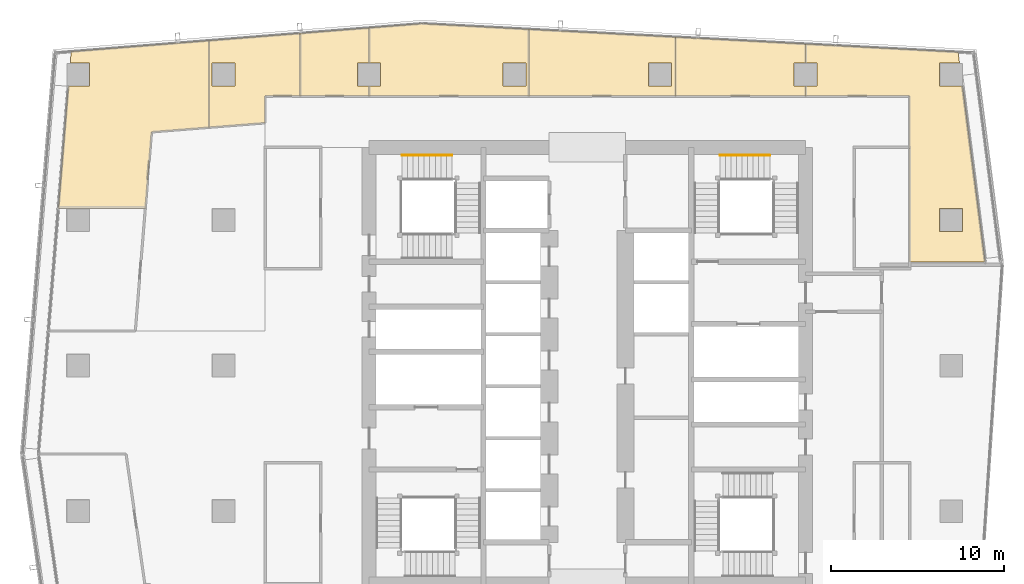
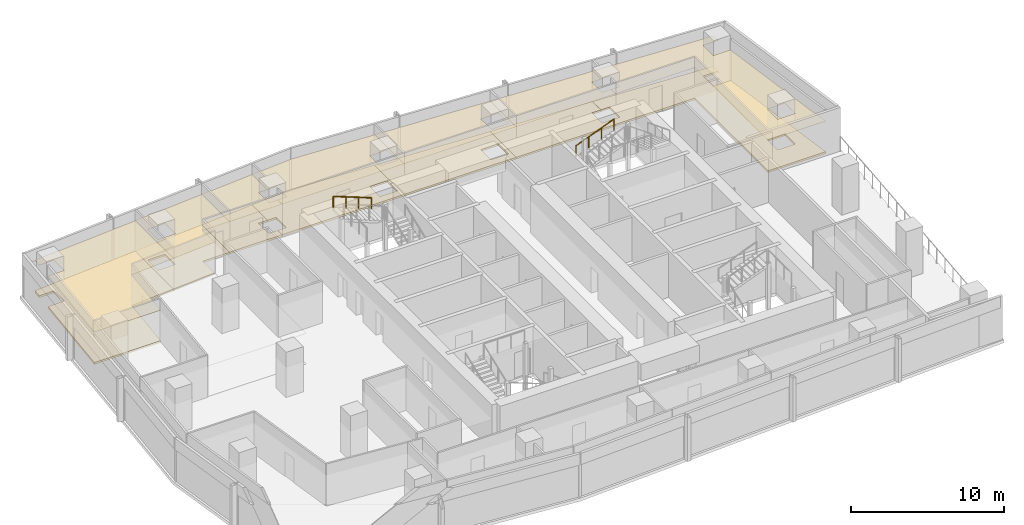
# One storey, part 28 of 28: 14 coverings, 2 railings.
"""IFC4 building model written with IfcOpenShell, lengths in metres."""

from ifc_helpers import new_model, si_unit, direction, frame, origin, origin_2d, place, context, subcontext, project, spatial, polyline, circle, outline, extrude, material, layer, layer_set, type_object, element, save


model = new_model("IFC4")

# Units and contexts
model_context = context("Model", 3, precision=1e-05, world=origin(), true_north=direction((0.0, 1.0)))
body_context = subcontext(model_context, "Body", "Model", "MODEL_VIEW")
ifc_project = project(units=[si_unit("LENGTHUNIT", "METRE"), si_unit("AREAUNIT", "SQUARE_METRE"), si_unit("VOLUMEUNIT", "CUBIC_METRE"), si_unit("PLANEANGLEUNIT", "RADIAN"), si_unit("MASSUNIT", "GRAM", prefix="KILO")], contexts=[model_context])

# Site, building, storey
site_placement = place(None, origin())
site = spatial("IfcSite", under=ifc_project, at=site_placement, CompositionType="ELEMENT")
building_placement = place(site_placement, origin())
building = spatial("IfcBuilding", under=site, at=building_placement, Name="Rekha Terrace Tower", CompositionType="ELEMENT")
storey_placement = place(building_placement, frame((0.0, 0.0, 253.85009765625)))
storey = spatial("IfcBuildingStorey", under=building, at=storey_placement, Name="L64", CompositionType="ELEMENT", Elevation=253.85009765625)

# Coverings
ifc_material_1 = material(Name="Mineral fibre tile in exposed grid", Category="finish")
ifc_layer_1 = layer(ifc_material_1, 0.02001953125)
ifc_layer_set_1 = layer_set([ifc_layer_1], Name="Mineral fibre tile in exposed grid")
covering_type_1 = type_object("IfcCoveringType", Name="CL1 600x1200 office grid ceiling", PredefinedType="CEILING", material=ifc_layer_set_1)
covering_1_placement = place(storey_placement, frame((0.0, 0.0, 2.579833984375)))
element("IfcCovering", 1, at=covering_1_placement, inside=storey, type_object=covering_type_1, Name="Ceiling L64-03", PredefinedType="CEILING", context=body_context, shape_type="SweptSolid", body=[
    extrude(outline(polyline([(51.06494140625, 49.735107421875), (50.403076171875, 49.735107421875), (50.403076171875, 49.14990234375), (56.39990234375, 49.14990234375), (56.39990234375, 39.568115234375), (60.764892578125, 39.568115234375), (59.4541015625, 49.735107421875), (58.135009765625, 49.735107421875), (58.135009765625, 51.06494140625), (59.282958984375, 51.06494140625), (59.199951171875, 51.7060546875), (50.403076171875, 52.174072265625), (50.403076171875, 51.06494140625), (51.06494140625, 51.06494140625), (51.06494140625, 49.735107421875)]), holes=[polyline([(59.465087890625, 41.3349609375), (58.135009765625, 41.3349609375), (58.135009765625, 42.6650390625), (59.465087890625, 42.6650390625), (59.465087890625, 41.3349609375)])]), origin(), (0.0, 0.0, 1.0), 0.02001953125),
])
covering_2_placement = place(storey_placement, frame((0.0, 0.0, 2.579833984375)))
element("IfcCovering", 2, at=covering_2_placement, inside=storey, type_object=covering_type_1, Name="Ceiling L64-04", PredefinedType="CEILING", context=body_context, shape_type="SweptSolid", body=[
    extrude(outline(polyline([(50.402099609375, 51.06494140625), (50.402099609375, 52.174072265625), (42.889892578125, 52.572998046875), (42.889892578125, 49.14990234375), (50.402099609375, 49.14990234375), (50.402099609375, 49.735107421875), (49.735107421875, 49.735107421875), (49.735107421875, 51.06494140625), (50.402099609375, 51.06494140625)])), origin(), (0.0, 0.0, 1.0), 0.02001953125),
])
covering_3_placement = place(storey_placement, frame((0.0, 0.0, 2.579833984375)))
element("IfcCovering", 3, at=covering_3_placement, inside=storey, type_object=covering_type_1, Name="Ceiling L64-05", PredefinedType="CEILING", context=body_context, shape_type="SweptSolid", body=[
    extrude(outline(polyline([(42.888916015625, 49.14990234375), (42.888916015625, 52.572998046875), (34.41796875, 53.02294921875), (34.41796875, 49.14990234375), (42.888916015625, 49.14990234375)]), holes=[polyline([(42.6650390625, 49.735107421875), (41.3349609375, 49.735107421875), (41.3349609375, 51.06494140625), (42.6650390625, 51.06494140625), (42.6650390625, 49.735107421875)])]), origin(), (0.0, 0.0, 1.0), 0.02001953125),
])
covering_4_placement = place(storey_placement, frame((0.0, 0.0, 2.579833984375)))
element("IfcCovering", 4, at=covering_4_placement, inside=storey, type_object=covering_type_1, Name="Ceiling L64-06", PredefinedType="CEILING", context=body_context, shape_type="SweptSolid", body=[
    extrude(outline(polyline([(34.4169921875, 53.02294921875), (28.27294921875, 53.35009765625), (25.2060546875, 53.10498046875), (25.2060546875, 51.06494140625), (25.864990234375, 51.06494140625), (25.864990234375, 49.735107421875), (25.2060546875, 49.735107421875), (25.2060546875, 49.14990234375), (34.4169921875, 49.14990234375), (34.4169921875, 53.02294921875)]), holes=[polyline([(34.264892578125, 49.735107421875), (32.93505859375, 49.735107421875), (32.93505859375, 51.06494140625), (34.264892578125, 51.06494140625), (34.264892578125, 49.735107421875)])]), origin(), (0.0, 0.0, 1.0), 0.02001953125),
])
covering_5_placement = place(storey_placement, frame((0.0, 0.0, 2.579833984375)))
element("IfcCovering", 5, at=covering_5_placement, inside=storey, type_object=covering_type_1, Name="Ceiling L64-07", PredefinedType="CEILING", context=body_context, shape_type="SweptSolid", body=[
    extrude(outline(polyline([(25.205078125, 51.06494140625), (25.205078125, 53.10498046875), (21.22705078125, 52.7880859375), (21.22705078125, 49.14990234375), (25.205078125, 49.14990234375), (25.205078125, 49.735107421875), (24.534912109375, 49.735107421875), (24.534912109375, 51.06494140625), (25.205078125, 51.06494140625)])), origin(), (0.0, 0.0, 1.0), 0.02001953125),
])
covering_6_placement = place(storey_placement, frame((0.0, 0.0, 2.579833984375)))
element("IfcCovering", 6, at=covering_6_placement, inside=storey, type_object=covering_type_1, Name="Ceiling L64-08", PredefinedType="CEILING", context=body_context, shape_type="SweptSolid", body=[
    extrude(outline(polyline([(15.950927734375, 52.366943359375), (15.950927734375, 47.35107421875), (19.199951171875, 47.610107421875), (19.199951171875, 49.14990234375), (21.22607421875, 49.14990234375), (21.22607421875, 52.7880859375), (15.950927734375, 52.366943359375)]), holes=[polyline([(17.465087890625, 49.735107421875), (16.135009765625, 49.735107421875), (16.135009765625, 51.06494140625), (17.465087890625, 51.06494140625), (17.465087890625, 49.735107421875)])]), origin(), (0.0, 0.0, 1.0), 0.02001953125),
])
covering_7_placement = place(storey_placement, frame((0.0, 0.0, 2.579833984375)))
element("IfcCovering", 7, at=covering_7_placement, inside=storey, type_object=covering_type_1, Name="Ceiling L64-09", PredefinedType="CEILING", context=body_context, shape_type="SweptSolid", body=[
    extrude(outline(polyline([(7.26611328125, 42.656982421875), (7.735107421875, 42.656982421875), (7.735107421875, 42.6650390625), (9.06494140625, 42.6650390625), (9.06494140625, 42.656982421875), (12.281982421875, 42.656982421875), (12.64306640625, 47.0869140625), (15.949951171875, 47.35107421875), (15.949951171875, 52.366943359375), (8.00390625, 51.73291015625), (7.949951171875, 51.06494140625), (9.06494140625, 51.06494140625), (9.06494140625, 49.735107421875), (7.842041015625, 49.735107421875), (7.26611328125, 42.656982421875)])), origin(), (0.0, 0.0, 1.0), 0.02001953125),
])

# Railings
ifc_material_2 = material(Name="Stainless steel tube", Category="steel")
railing_type = type_object("IfcRailingType", Name="HR1 900 stair handrail", PredefinedType="HANDRAIL", material=ifc_material_2)
railing_1_placement = place(storey_placement, frame((45.449951171875, 45.739990234375, 1.375)))
element("IfcRailing", 8, at=railing_1_placement, inside=storey, type_object=railing_type, Name="Handrail ST2 L64 flight 2", PredefinedType="HANDRAIL", context=body_context, shape_type="SweptSolid", body=[
    extrude(circle(Radius=0.02392578125, at=origin_2d()), frame((0.0, 0.0, 0.8759765625), z_axis=(0.931462784923, 0.0, 0.363836612098), x_axis=(0.0, 1.0, 0.0)), (0.0, 0.0, 1.0), 3.092041015625),
    extrude(circle(Radius=0.02099609375, at=origin_2d()), origin(), (0.0, 0.0, 1.0), 0.851806640625),
    extrude(circle(Radius=0.02099609375, at=origin_2d()), frame((0.9599609375, 0.0, 0.375)), (0.0, 0.0, 1.0), 0.851806640625),
    extrude(circle(Radius=0.02099609375, at=origin_2d()), frame((1.920166015625, 0.0, 0.75)), (0.0, 0.0, 1.0), 0.851806640625),
    extrude(circle(Radius=0.02099609375, at=origin_2d()), frame((2.880126953125, 0.0, 1.125)), (0.0, 0.0, 1.0), 0.851806640625),
])
railing_2_placement = place(storey_placement, frame((29.97998046875, 45.739990234375, 2.625)))
element("IfcRailing", 9, at=railing_2_placement, inside=storey, type_object=railing_type, Name="Handrail ST4 L64 flight 3", PredefinedType="HANDRAIL", context=body_context, shape_type="SweptSolid", body=[
    extrude(circle(Radius=0.02392578125, at=origin_2d()), frame((0.0, 0.0, 0.8759765625), z_axis=(-0.931452331594, 0.0, 0.363863372667), x_axis=(0.0, -1.0, 0.0)), (0.0, 0.0, 1.0), 3.091796875),
    extrude(circle(Radius=0.02099609375, at=origin_2d()), origin(), (0.0, 0.0, 1.0), 0.851806640625),
    extrude(circle(Radius=0.02099609375, at=origin_2d()), frame((-0.9599609375, 0.0, 0.375)), (0.0, 0.0, 1.0), 0.851806640625),
    extrude(circle(Radius=0.02099609375, at=origin_2d()), frame((-1.919921875, 0.0, 0.75)), (0.0, 0.0, 1.0), 0.851806640625),
    extrude(circle(Radius=0.02099609375, at=origin_2d()), frame((-2.8798828125, 0.0, 1.125)), (0.0, 0.0, 1.0), 0.851806640625),
])

# Coverings
ifc_material_3 = material(Name="Calcium sulphate panels on steel pedestals", Category="steel")
ifc_layer_2 = layer(ifc_material_3, 0.14990234375)
ifc_layer_set_2 = layer_set([ifc_layer_2], Name="Calcium sulphate panels on steel pedestals")
covering_type_2 = type_object("IfcCoveringType", Name="RF1 150 raised access floor", PredefinedType="FLOORING", material=ifc_layer_set_2)
covering_8_placement = place(storey_placement, origin())
element("IfcCovering", 10, at=covering_8_placement, inside=storey, type_object=covering_type_2, Name="Raised floor L64-03", PredefinedType="FLOORING", context=body_context, shape_type="SweptSolid", body=[
    extrude(outline(polyline([(51.06494140625, 49.735107421875), (50.403076171875, 49.735107421875), (50.403076171875, 49.14990234375), (56.39990234375, 49.14990234375), (56.39990234375, 39.568115234375), (60.764892578125, 39.568115234375), (59.4541015625, 49.735107421875), (58.135009765625, 49.735107421875), (58.135009765625, 51.06494140625), (59.282958984375, 51.06494140625), (59.199951171875, 51.7060546875), (50.403076171875, 52.174072265625), (50.403076171875, 51.06494140625), (51.06494140625, 51.06494140625), (51.06494140625, 49.735107421875)]), holes=[polyline([(59.465087890625, 41.3349609375), (58.135009765625, 41.3349609375), (58.135009765625, 42.6650390625), (59.465087890625, 42.6650390625), (59.465087890625, 41.3349609375)])]), origin(), (0.0, 0.0, 1.0), 0.14990234375),
])
covering_9_placement = place(storey_placement, origin())
element("IfcCovering", 11, at=covering_9_placement, inside=storey, type_object=covering_type_2, Name="Raised floor L64-04", PredefinedType="FLOORING", context=body_context, shape_type="SweptSolid", body=[
    extrude(outline(polyline([(50.402099609375, 51.06494140625), (50.402099609375, 52.174072265625), (42.889892578125, 52.572998046875), (42.889892578125, 49.14990234375), (50.402099609375, 49.14990234375), (50.402099609375, 49.735107421875), (49.735107421875, 49.735107421875), (49.735107421875, 51.06494140625), (50.402099609375, 51.06494140625)])), origin(), (0.0, 0.0, 1.0), 0.14990234375),
])
covering_10_placement = place(storey_placement, origin())
element("IfcCovering", 12, at=covering_10_placement, inside=storey, type_object=covering_type_2, Name="Raised floor L64-05", PredefinedType="FLOORING", context=body_context, shape_type="SweptSolid", body=[
    extrude(outline(polyline([(42.888916015625, 49.14990234375), (42.888916015625, 52.572998046875), (34.41796875, 53.02294921875), (34.41796875, 49.14990234375), (42.888916015625, 49.14990234375)]), holes=[polyline([(42.6650390625, 49.735107421875), (41.3349609375, 49.735107421875), (41.3349609375, 51.06494140625), (42.6650390625, 51.06494140625), (42.6650390625, 49.735107421875)])]), origin(), (0.0, 0.0, 1.0), 0.14990234375),
])
covering_11_placement = place(storey_placement, origin())
element("IfcCovering", 13, at=covering_11_placement, inside=storey, type_object=covering_type_2, Name="Raised floor L64-06", PredefinedType="FLOORING", context=body_context, shape_type="SweptSolid", body=[
    extrude(outline(polyline([(34.4169921875, 53.02294921875), (28.27294921875, 53.35009765625), (25.2060546875, 53.10498046875), (25.2060546875, 51.06494140625), (25.864990234375, 51.06494140625), (25.864990234375, 49.735107421875), (25.2060546875, 49.735107421875), (25.2060546875, 49.14990234375), (34.4169921875, 49.14990234375), (34.4169921875, 53.02294921875)]), holes=[polyline([(34.264892578125, 49.735107421875), (32.93505859375, 49.735107421875), (32.93505859375, 51.06494140625), (34.264892578125, 51.06494140625), (34.264892578125, 49.735107421875)])]), origin(), (0.0, 0.0, 1.0), 0.14990234375),
])
covering_12_placement = place(storey_placement, origin())
element("IfcCovering", 14, at=covering_12_placement, inside=storey, type_object=covering_type_2, Name="Raised floor L64-07", PredefinedType="FLOORING", context=body_context, shape_type="SweptSolid", body=[
    extrude(outline(polyline([(25.205078125, 51.06494140625), (25.205078125, 53.10498046875), (21.22705078125, 52.7880859375), (21.22705078125, 49.14990234375), (25.205078125, 49.14990234375), (25.205078125, 49.735107421875), (24.534912109375, 49.735107421875), (24.534912109375, 51.06494140625), (25.205078125, 51.06494140625)])), origin(), (0.0, 0.0, 1.0), 0.14990234375),
])
covering_13_placement = place(storey_placement, origin())
element("IfcCovering", 15, at=covering_13_placement, inside=storey, type_object=covering_type_2, Name="Raised floor L64-08", PredefinedType="FLOORING", context=body_context, shape_type="SweptSolid", body=[
    extrude(outline(polyline([(15.950927734375, 52.366943359375), (15.950927734375, 47.35107421875), (19.199951171875, 47.610107421875), (19.199951171875, 49.14990234375), (21.22607421875, 49.14990234375), (21.22607421875, 52.7880859375), (15.950927734375, 52.366943359375)]), holes=[polyline([(17.465087890625, 49.735107421875), (16.135009765625, 49.735107421875), (16.135009765625, 51.06494140625), (17.465087890625, 51.06494140625), (17.465087890625, 49.735107421875)])]), origin(), (0.0, 0.0, 1.0), 0.14990234375),
])
covering_14_placement = place(storey_placement, origin())
element("IfcCovering", 16, at=covering_14_placement, inside=storey, type_object=covering_type_2, Name="Raised floor L64-09", PredefinedType="FLOORING", context=body_context, shape_type="SweptSolid", body=[
    extrude(outline(polyline([(7.26611328125, 42.656982421875), (7.735107421875, 42.656982421875), (7.735107421875, 42.6650390625), (9.06494140625, 42.6650390625), (9.06494140625, 42.656982421875), (12.281982421875, 42.656982421875), (12.64306640625, 47.0869140625), (15.949951171875, 47.35107421875), (15.949951171875, 52.366943359375), (8.00390625, 51.73291015625), (7.949951171875, 51.06494140625), (9.06494140625, 51.06494140625), (9.06494140625, 49.735107421875), (7.842041015625, 49.735107421875), (7.26611328125, 42.656982421875)])), origin(), (0.0, 0.0, 1.0), 0.14990234375),
])

save(model, "model.ifc")
